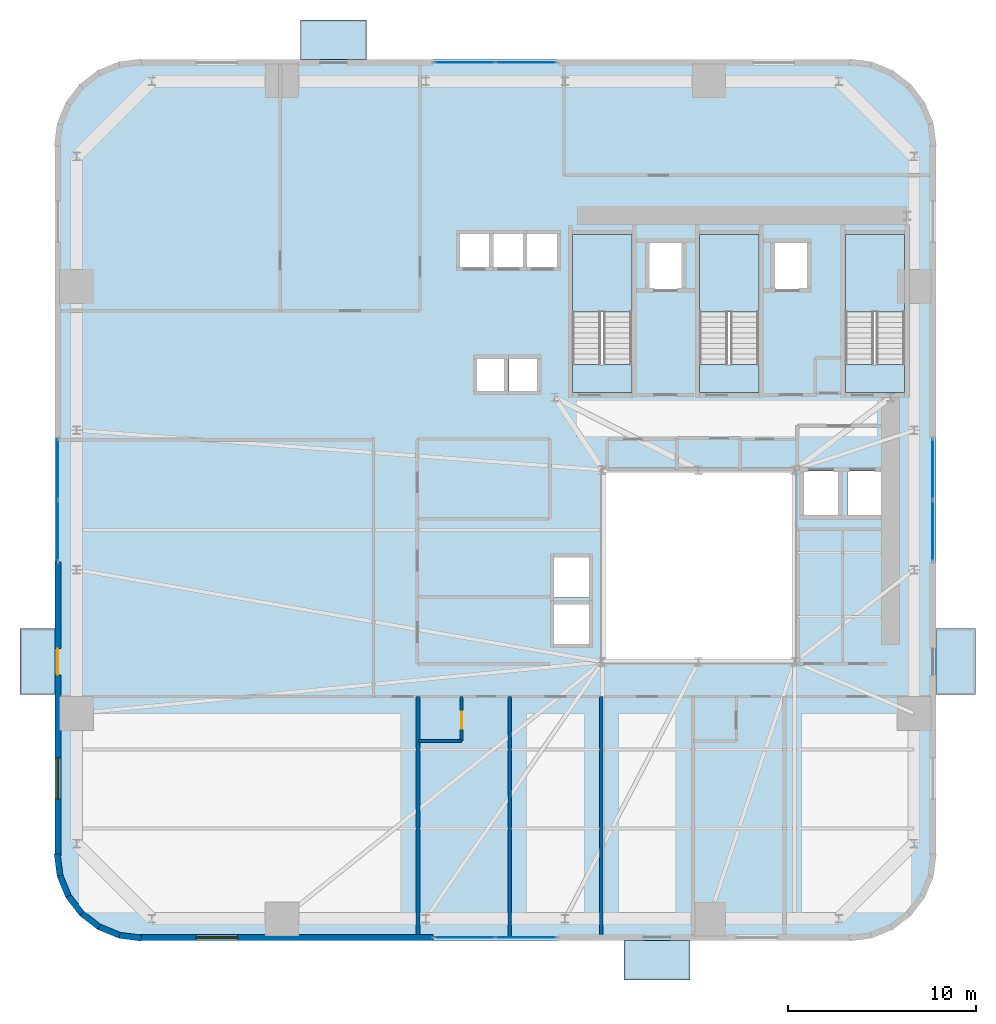
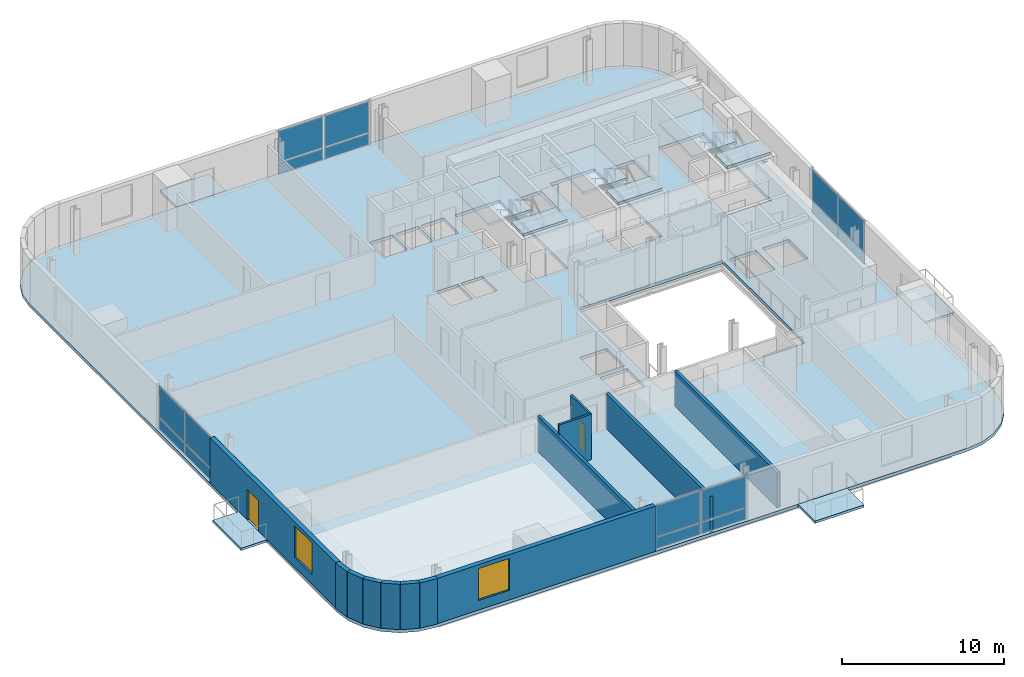
# One storey, part 5 of 13: 16 plates, 13 walls, 11 slabs, 2 doors, 2 windows, 4 openings, 7 elements without a shape of their own.
"""IFC4 building model written with IfcOpenShell, lengths in metres."""

from ifc_helpers import new_model, si_unit, direction, frame, frame_2d, origin, origin_2d, place, context, subcontext, project, spatial, polyline, rectangle, outline, extrude, source, transform, mapped, material, layer, layer_set, type_object, element, fill, aggregate, save


model = new_model("IFC4")

# Units and contexts
model_context = context("Model", 3, precision=1e-05, world=origin(), true_north=direction((0.0, 1.0)))
body_context = subcontext(model_context, "Body", "Model", "MODEL_VIEW")
ifc_project = project(units=[si_unit("LENGTHUNIT", "METRE"), si_unit("AREAUNIT", "SQUARE_METRE"), si_unit("VOLUMEUNIT", "CUBIC_METRE"), si_unit("PLANEANGLEUNIT", "RADIAN"), si_unit("MASSUNIT", "GRAM", prefix="KILO")], contexts=[model_context])

# Site, building, storey
site_placement = place(None, origin())
site = spatial("IfcSite", under=ifc_project, at=site_placement, CompositionType="ELEMENT")
building_placement = place(site_placement, origin())
building = spatial("IfcBuilding", under=site, at=building_placement, Name="Vardaveli Station Tower", CompositionType="ELEMENT")
storey_placement = place(building_placement, frame((0.0, 0.0, 45.85009765625)))
storey = spatial("IfcBuildingStorey", under=building, at=storey_placement, Name="L11", CompositionType="ELEMENT", Elevation=45.85009765625)

# Stair, slabs
ifc_material_1 = material(Name="Concrete C40/50", Category="concrete")
stair_type = type_object("IfcStairType", Name="STR-CORE-1500", PredefinedType="HALF_TURN_STAIR", material=ifc_material_1)
stair_1_placement = place(storey_placement, origin())
stair_1 = element("IfcStair", 1, at=stair_1_placement, inside=storey, type_object=stair_type, Name="L11 ST-1", PredefinedType="HALF_TURN_STAIR")
ifc_layer_1 = layer(ifc_material_1, 0.199951171875, Name="Concrete C40/50")
ifc_layer_set_1 = layer_set([ifc_layer_1], Name="Concrete C40/50")
slab_type_1 = type_object("IfcSlabType", Name="SLB-LAND-200", PredefinedType="LANDING", material=ifc_layer_set_1)
slab_1_placement = place(storey_placement, frame((0.0, 0.0, 1.625)))
slab_1 = element("IfcSlab", 2, at=slab_1_placement, type_object=slab_type_1, Name="ST-1 landing 1", PredefinedType="LANDING", context=body_context, shape_type="SweptSolid", body=[
    extrude(outline(polyline([(32.75, 35.199951171875), (32.75, 39.300048828125), (29.60009765625, 39.300048828125), (29.60009765625, 35.199951171875), (32.75, 35.199951171875)])), origin(), (0.0, 0.0, 1.0), 0.199951171875),
])
slab_2_placement = place(storey_placement, frame((0.0, 0.0, 3.449951171875)))
slab_2 = element("IfcSlab", 3, at=slab_2_placement, type_object=slab_type_1, Name="ST-1 landing 2", PredefinedType="LANDING", context=body_context, shape_type="SweptSolid", body=[
    extrude(outline(polyline([(32.75, 30.89990234375), (32.75, 32.39990234375), (29.60009765625, 32.39990234375), (29.60009765625, 30.89990234375), (32.75, 30.89990234375)])), origin(), (0.0, 0.0, 1.0), 0.199951171875),
])
aggregate(stair_1, [slab_1, slab_2])

stair_2_placement = place(storey_placement, origin())
stair_2 = element("IfcStair", 4, at=stair_2_placement, inside=storey, type_object=stair_type, Name="L11 ST-2", PredefinedType="HALF_TURN_STAIR")
slab_3_placement = place(storey_placement, frame((0.0, 0.0, 1.625)))
slab_3 = element("IfcSlab", 5, at=slab_3_placement, type_object=slab_type_1, Name="ST-2 landing 1", PredefinedType="LANDING", context=body_context, shape_type="SweptSolid", body=[
    extrude(outline(polyline([(39.5, 35.199951171875), (39.5, 39.300048828125), (36.35009765625, 39.300048828125), (36.35009765625, 35.199951171875), (39.5, 35.199951171875)])), origin(), (0.0, 0.0, 1.0), 0.199951171875),
])
slab_4_placement = place(storey_placement, frame((0.0, 0.0, 3.449951171875)))
slab_4 = element("IfcSlab", 6, at=slab_4_placement, type_object=slab_type_1, Name="ST-2 landing 2", PredefinedType="LANDING", context=body_context, shape_type="SweptSolid", body=[
    extrude(outline(polyline([(39.5, 30.89990234375), (39.5, 32.39990234375), (36.35009765625, 32.39990234375), (36.35009765625, 30.89990234375), (39.5, 30.89990234375)])), origin(), (0.0, 0.0, 1.0), 0.199951171875),
])
aggregate(stair_2, [slab_3, slab_4])

stair_3_placement = place(storey_placement, origin())
stair_3 = element("IfcStair", 7, at=stair_3_placement, inside=storey, type_object=stair_type, Name="L11 ST-3", PredefinedType="HALF_TURN_STAIR")
slab_5_placement = place(storey_placement, frame((0.0, 0.0, 1.625)))
slab_5 = element("IfcSlab", 8, at=slab_5_placement, type_object=slab_type_1, Name="ST-3 landing 1", PredefinedType="LANDING", context=body_context, shape_type="SweptSolid", body=[
    extrude(outline(polyline([(47.25, 35.199951171875), (47.25, 39.300048828125), (44.10009765625, 39.300048828125), (44.10009765625, 35.199951171875), (47.25, 35.199951171875)])), origin(), (0.0, 0.0, 1.0), 0.199951171875),
])
slab_6_placement = place(storey_placement, frame((0.0, 0.0, 3.449951171875)))
slab_6 = element("IfcSlab", 9, at=slab_6_placement, type_object=slab_type_1, Name="ST-3 landing 2", PredefinedType="LANDING", context=body_context, shape_type="SweptSolid", body=[
    extrude(outline(polyline([(47.25, 30.89990234375), (47.25, 32.39990234375), (44.10009765625, 32.39990234375), (44.10009765625, 30.89990234375), (47.25, 30.89990234375)])), origin(), (0.0, 0.0, 1.0), 0.199951171875),
])
aggregate(stair_3, [slab_5, slab_6])

# Slabs
ifc_material_2 = material(Name="Precast concrete C45/55", Category="concrete")
ifc_layer_2 = layer(ifc_material_2, 0.179931640625, Name="Precast concrete C45/55")
ifc_layer_set_2 = layer_set([ifc_layer_2], Name="Precast concrete C45/55")
slab_type_2 = type_object("IfcSlabType", Name="SLB-LOGGIA-180", PredefinedType="FLOOR", material=ifc_layer_set_2)
slab_7_placement = place(storey_placement, frame((0.0, 0.0, -0.18017578125)))
element("IfcSlab", 10, at=slab_7_placement, inside=storey, type_object=slab_type_2, Name="LOG-L11-S", PredefinedType="FLOOR", context=body_context, shape_type="SweptSolid", body=[
    extrude(outline(polyline([(32.339599609375, -0.300048828125), (35.839599609375, -0.300048828125), (35.839599609375, 1.800048828125), (32.339599609375, 1.800048828125), (32.339599609375, -0.300048828125)])), origin(), (0.0, 0.0, 1.0), 0.18017578125),
])
slab_8_placement = place(storey_placement, frame((0.0, 0.0, -0.18017578125)))
element("IfcSlab", 11, at=slab_8_placement, inside=storey, type_object=slab_type_2, Name="LOG-L11-N", PredefinedType="FLOOR", context=body_context, shape_type="SweptSolid", body=[
    extrude(outline(polyline([(15.160400390625, 48.60009765625), (18.660400390625, 48.60009765625), (18.660400390625, 50.699951171875), (15.160400390625, 50.699951171875), (15.160400390625, 48.60009765625)])), origin(), (0.0, 0.0, 1.0), 0.18017578125),
])
slab_9_placement = place(storey_placement, frame((0.0, 0.0, -0.18017578125)))
element("IfcSlab", 12, at=slab_9_placement, inside=storey, type_object=slab_type_2, Name="LOG-L11-W", PredefinedType="FLOOR", context=body_context, shape_type="SweptSolid", body=[
    extrude(outline(polyline([(0.25, 14.8603515625), (2.10009765625, 14.8603515625), (2.10009765625, 18.3603515625), (0.25, 18.3603515625), (0.25, 14.8603515625)])), origin(), (0.0, 0.0, 1.0), 0.18017578125),
])
slab_10_placement = place(storey_placement, frame((0.0, 0.0, -0.18017578125)))
element("IfcSlab", 13, at=slab_10_placement, inside=storey, type_object=slab_type_2, Name="LOG-L11-E", PredefinedType="FLOOR", context=body_context, shape_type="SweptSolid", body=[
    extrude(outline(polyline([(48.89990234375, 14.8603515625), (51.0, 14.8603515625), (51.0, 18.3603515625), (48.89990234375, 18.3603515625), (48.89990234375, 14.8603515625)])), origin(), (0.0, 0.0, 1.0), 0.18017578125),
])
ifc_layer_3 = layer(ifc_material_1, 0.239990234375, Name="Concrete C40/50")
ifc_layer_set_3 = layer_set([ifc_layer_3], Name="Concrete C40/50")
slab_type_3 = type_object("IfcSlabType", Name="SLB-TOW-240", PredefinedType="FLOOR", material=ifc_layer_set_3)
slab_11_placement = place(storey_placement, frame((0.0, 0.0, -0.239990234375)))
element("IfcSlab", 14, at=slab_11_placement, inside=storey, type_object=slab_type_3, Name="SLB-L11-MAIN", PredefinedType="FLOOR", context=body_context, shape_type="SweptSolid", body=[
    extrude(outline(polyline([(2.10009765625, 6.300048828125), (2.25341796875, 5.13525390625), (2.702880859375, 4.050048828125), (3.41796875, 3.117919921875), (4.35009765625, 2.40283203125), (5.435302734375, 1.953369140625), (6.60009765625, 1.800048828125), (44.39990234375, 1.800048828125), (45.564697265625, 1.953369140625), (46.64990234375, 2.40283203125), (47.58203125, 3.117919921875), (48.297119140625, 4.050048828125), (48.74658203125, 5.13525390625), (48.89990234375, 6.300048828125), (48.89990234375, 44.10009765625), (48.74658203125, 45.2646484375), (48.297119140625, 46.35009765625), (47.58203125, 47.281982421875), (46.64990234375, 47.9970703125), (45.564697265625, 48.44677734375), (44.39990234375, 48.60009765625), (6.60009765625, 48.60009765625), (5.435302734375, 48.44677734375), (4.35009765625, 47.9970703125), (3.41796875, 47.281982421875), (2.702880859375, 46.35009765625), (2.25341796875, 45.2646484375), (2.10009765625, 44.10009765625), (2.10009765625, 6.300048828125)]), holes=[polyline([(31.199951171875, 16.60009765625), (41.39990234375, 16.60009765625), (41.39990234375, 26.800048828125), (31.199951171875, 26.800048828125), (31.199951171875, 16.60009765625)]), polyline([(32.75, 30.89990234375), (32.75, 39.300048828125), (29.60009765625, 39.300048828125), (29.60009765625, 30.89990234375), (32.75, 30.89990234375)]), polyline([(39.5, 30.89990234375), (39.5, 39.300048828125), (36.35009765625, 39.300048828125), (36.35009765625, 30.89990234375), (39.5, 30.89990234375)]), polyline([(47.25, 30.89990234375), (47.25, 39.300048828125), (44.10009765625, 39.300048828125), (44.10009765625, 30.89990234375), (47.25, 30.89990234375)]), polyline([(23.5849609375, 37.534912109375), (25.215087890625, 37.534912109375), (25.215087890625, 39.364990234375), (23.5849609375, 39.364990234375), (23.5849609375, 37.534912109375)]), polyline([(25.385009765625, 37.534912109375), (27.014892578125, 37.534912109375), (27.014892578125, 39.364990234375), (25.385009765625, 39.364990234375), (25.385009765625, 37.534912109375)]), polyline([(27.18505859375, 37.534912109375), (28.81494140625, 37.534912109375), (28.81494140625, 39.364990234375), (27.18505859375, 39.364990234375), (27.18505859375, 37.534912109375)]), polyline([(33.659912109375, 36.409912109375), (35.43994140625, 36.409912109375), (35.43994140625, 38.889892578125), (33.659912109375, 38.889892578125), (33.659912109375, 36.409912109375)]), polyline([(40.31005859375, 36.409912109375), (42.090087890625, 36.409912109375), (42.090087890625, 38.889892578125), (40.31005859375, 38.889892578125), (40.31005859375, 36.409912109375)]), polyline([(24.485107421875, 30.9599609375), (26.014892578125, 30.9599609375), (26.014892578125, 32.739990234375), (24.485107421875, 32.739990234375), (24.485107421875, 30.9599609375)]), polyline([(26.235107421875, 30.9599609375), (27.764892578125, 30.9599609375), (27.764892578125, 32.739990234375), (26.235107421875, 32.739990234375), (26.235107421875, 30.9599609375)]), polyline([(28.5849609375, 17.510009765625), (30.514892578125, 17.510009765625), (30.514892578125, 19.68994140625), (28.5849609375, 19.68994140625), (28.5849609375, 17.510009765625)]), polyline([(28.5849609375, 20.010009765625), (30.514892578125, 20.010009765625), (30.514892578125, 22.18994140625), (28.5849609375, 22.18994140625), (28.5849609375, 20.010009765625)]), polyline([(41.860107421875, 24.360107421875), (43.739990234375, 24.360107421875), (43.739990234375, 26.739990234375), (41.860107421875, 26.739990234375), (41.860107421875, 24.360107421875)]), polyline([(44.2099609375, 24.360107421875), (46.090087890625, 24.360107421875), (46.090087890625, 26.739990234375), (44.2099609375, 26.739990234375), (44.2099609375, 24.360107421875)])]), origin(), (0.0, 0.0, 1.0), 0.239990234375),
])

# Curtain wall, plates
ifc_material_3 = material(Name="Travertine stone and solar-control glass", Category="masonry")
curtain_wall_type = type_object("IfcCurtainWallType", Name="CW-SYS-2", PredefinedType="NOTDEFINED", material=ifc_material_3)
curtain_wall_1_placement = place(storey_placement, origin())
curtain_wall_1 = element("IfcCurtainWall", 15, at=curtain_wall_1_placement, inside=storey, type_object=curtain_wall_type, Name="CW-L11-S", PredefinedType="NOTDEFINED")
ifc_material_4 = material(Name="Double-glazed low-E solar-control glass", Category="glass")
ifc_layer_4 = layer(ifc_material_4, 0.035888671875, Name="Double-glazed low-E solar-control glass")
ifc_layer_set_4 = layer_set([ifc_layer_4], Name="Double-glazed low-E solar-control glass")
plate_type = type_object("IfcPlateType", Name="CW-SYS-2-PAN", PredefinedType="CURTAIN_PANEL", material=ifc_layer_set_4)
shared_shape_1 = source(origin(), body_context, "Body", "SweptSolid", [
    extrude(rectangle(XDim=3.172607421875, YDim=0.035888671875, at=origin_2d()), origin(), (0.0, 0.0, 1.0), 0.822509765625),
])
plate_1_placement = place(storey_placement, frame((23.871337890625, 1.9599609375, 0.0849609375), z_axis=(0.0, 0.0, 1.0), x_axis=(1.0, 0.0, 0.0)))
plate_1 = element("IfcPlate", 16, at=plate_1_placement, type_object=plate_type, Name="CW-2 panel 1.1", PredefinedType="CURTAIN_PANEL", context=body_context, shape_type="MappedRepresentation", body=[
    mapped(shared_shape_1, transform((0.0, 0.0, 0.0), scale=1.0)),
])
plate_2_placement = place(storey_placement, frame((27.128662109375, 1.9599609375, 0.0849609375), z_axis=(0.0, 0.0, 1.0), x_axis=(1.0, 0.0, 0.0)))
plate_2 = element("IfcPlate", 17, at=plate_2_placement, type_object=plate_type, Name="CW-2 panel 2.1", PredefinedType="CURTAIN_PANEL", context=body_context, shape_type="MappedRepresentation", body=[
    mapped(shared_shape_1, transform((0.0, 0.0, 0.0), scale=1.0)),
])

curtain_wall_2_placement = place(storey_placement, origin())
curtain_wall_2 = element("IfcCurtainWall", 18, at=curtain_wall_2_placement, inside=storey, type_object=curtain_wall_type, Name="CW-L11-N", PredefinedType="NOTDEFINED")
plate_3_placement = place(storey_placement, frame((27.128662109375, 48.43994140625, 0.0849609375), z_axis=(0.0, 0.0, 1.0), x_axis=(-1.0, 0.0, 0.0)))
plate_3 = element("IfcPlate", 19, at=plate_3_placement, type_object=plate_type, Name="CW-2 panel 1.1", PredefinedType="CURTAIN_PANEL", context=body_context, shape_type="MappedRepresentation", body=[
    mapped(shared_shape_1, transform((0.0, 0.0, 0.0), scale=1.0)),
])
plate_4_placement = place(storey_placement, frame((23.871337890625, 48.43994140625, 0.0849609375), z_axis=(0.0, 0.0, 1.0), x_axis=(-1.0, 0.0, 0.0)))
plate_4 = element("IfcPlate", 20, at=plate_4_placement, type_object=plate_type, Name="CW-2 panel 2.1", PredefinedType="CURTAIN_PANEL", context=body_context, shape_type="MappedRepresentation", body=[
    mapped(shared_shape_1, transform((0.0, 0.0, 0.0), scale=1.0)),
])

curtain_wall_3_placement = place(storey_placement, origin())
curtain_wall_3 = element("IfcCurtainWall", 21, at=curtain_wall_3_placement, inside=storey, type_object=curtain_wall_type, Name="CW-L11-W", PredefinedType="NOTDEFINED")
plate_5_placement = place(storey_placement, frame((2.260009765625, 26.828857421875, 0.0849609375), z_axis=(0.0, 0.0, 1.0), x_axis=(0.0, -1.0, 0.0)))
plate_5 = element("IfcPlate", 22, at=plate_5_placement, type_object=plate_type, Name="CW-2 panel 1.1", PredefinedType="CURTAIN_PANEL", context=body_context, shape_type="MappedRepresentation", body=[
    mapped(shared_shape_1, transform((0.0, 0.0, 0.0), scale=1.0)),
])
plate_6_placement = place(storey_placement, frame((2.260009765625, 23.5712890625, 0.0849609375), z_axis=(0.0, 0.0, 1.0), x_axis=(0.0, -1.0, 0.0)))
plate_6 = element("IfcPlate", 23, at=plate_6_placement, type_object=plate_type, Name="CW-2 panel 2.1", PredefinedType="CURTAIN_PANEL", context=body_context, shape_type="MappedRepresentation", body=[
    mapped(shared_shape_1, transform((0.0, 0.0, 0.0), scale=1.0)),
])

curtain_wall_4_placement = place(storey_placement, origin())
curtain_wall_4 = element("IfcCurtainWall", 24, at=curtain_wall_4_placement, inside=storey, type_object=curtain_wall_type, Name="CW-L11-E", PredefinedType="NOTDEFINED")
plate_7_placement = place(storey_placement, frame((48.739990234375, 23.5712890625, 0.0849609375), z_axis=(0.0, 0.0, 1.0), x_axis=(0.0, 1.0, 0.0)))
plate_7 = element("IfcPlate", 25, at=plate_7_placement, type_object=plate_type, Name="CW-2 panel 1.1", PredefinedType="CURTAIN_PANEL", context=body_context, shape_type="MappedRepresentation", body=[
    mapped(shared_shape_1, transform((0.0, 0.0, 0.0), scale=1.0)),
])
plate_8_placement = place(storey_placement, frame((48.739990234375, 26.828857421875, 0.0849609375), z_axis=(0.0, 0.0, 1.0), x_axis=(0.0, 1.0, 0.0)))
plate_8 = element("IfcPlate", 26, at=plate_8_placement, type_object=plate_type, Name="CW-2 panel 2.1", PredefinedType="CURTAIN_PANEL", context=body_context, shape_type="MappedRepresentation", body=[
    mapped(shared_shape_1, transform((0.0, 0.0, 0.0), scale=1.0)),
])

# Plate
shared_shape_2 = source(origin(), body_context, "Body", "SweptSolid", [
    extrude(rectangle(XDim=3.172607421875, YDim=0.035888671875, at=origin_2d()), origin(), (0.0, 0.0, 1.0), 2.33251953125),
])
plate_9_placement = place(storey_placement, frame((23.871337890625, 1.9599609375, 0.992431640625), z_axis=(0.0, 0.0, 1.0), x_axis=(1.0, 0.0, 0.0)))
plate_9 = element("IfcPlate", 27, at=plate_9_placement, type_object=plate_type, Name="CW-2 panel 1.2", PredefinedType="CURTAIN_PANEL", context=body_context, shape_type="MappedRepresentation", body=[
    mapped(shared_shape_2, transform((0.0, 0.0, 0.0), scale=1.0)),
])

plate_10_placement = place(storey_placement, frame((27.128662109375, 1.9599609375, 0.992431640625), z_axis=(0.0, 0.0, 1.0), x_axis=(1.0, 0.0, 0.0)))
plate_10 = element("IfcPlate", 28, at=plate_10_placement, type_object=plate_type, Name="CW-2 panel 2.2", PredefinedType="CURTAIN_PANEL", context=body_context, shape_type="MappedRepresentation", body=[
    mapped(shared_shape_2, transform((0.0, 0.0, 0.0), scale=1.0)),
])

aggregate(curtain_wall_1, [plate_1, plate_9, plate_2, plate_10])

plate_11_placement = place(storey_placement, frame((27.128662109375, 48.43994140625, 0.992431640625), z_axis=(0.0, 0.0, 1.0), x_axis=(-1.0, 0.0, 0.0)))
plate_11 = element("IfcPlate", 29, at=plate_11_placement, type_object=plate_type, Name="CW-2 panel 1.2", PredefinedType="CURTAIN_PANEL", context=body_context, shape_type="MappedRepresentation", body=[
    mapped(shared_shape_2, transform((0.0, 0.0, 0.0), scale=1.0)),
])

plate_12_placement = place(storey_placement, frame((23.871337890625, 48.43994140625, 0.992431640625), z_axis=(0.0, 0.0, 1.0), x_axis=(-1.0, 0.0, 0.0)))
plate_12 = element("IfcPlate", 30, at=plate_12_placement, type_object=plate_type, Name="CW-2 panel 2.2", PredefinedType="CURTAIN_PANEL", context=body_context, shape_type="MappedRepresentation", body=[
    mapped(shared_shape_2, transform((0.0, 0.0, 0.0), scale=1.0)),
])

aggregate(curtain_wall_2, [plate_3, plate_11, plate_4, plate_12])

plate_13_placement = place(storey_placement, frame((2.260009765625, 26.828857421875, 0.992431640625), z_axis=(0.0, 0.0, 1.0), x_axis=(0.0, -1.0, 0.0)))
plate_13 = element("IfcPlate", 31, at=plate_13_placement, type_object=plate_type, Name="CW-2 panel 1.2", PredefinedType="CURTAIN_PANEL", context=body_context, shape_type="MappedRepresentation", body=[
    mapped(shared_shape_2, transform((0.0, 0.0, 0.0), scale=1.0)),
])

plate_14_placement = place(storey_placement, frame((2.260009765625, 23.5712890625, 0.992431640625), z_axis=(0.0, 0.0, 1.0), x_axis=(0.0, -1.0, 0.0)))
plate_14 = element("IfcPlate", 32, at=plate_14_placement, type_object=plate_type, Name="CW-2 panel 2.2", PredefinedType="CURTAIN_PANEL", context=body_context, shape_type="MappedRepresentation", body=[
    mapped(shared_shape_2, transform((0.0, 0.0, 0.0), scale=1.0)),
])

aggregate(curtain_wall_3, [plate_5, plate_13, plate_6, plate_14])

plate_15_placement = place(storey_placement, frame((48.739990234375, 23.5712890625, 0.992431640625), z_axis=(0.0, 0.0, 1.0), x_axis=(0.0, 1.0, 0.0)))
plate_15 = element("IfcPlate", 33, at=plate_15_placement, type_object=plate_type, Name="CW-2 panel 1.2", PredefinedType="CURTAIN_PANEL", context=body_context, shape_type="MappedRepresentation", body=[
    mapped(shared_shape_2, transform((0.0, 0.0, 0.0), scale=1.0)),
])

plate_16_placement = place(storey_placement, frame((48.739990234375, 26.828857421875, 0.992431640625), z_axis=(0.0, 0.0, 1.0), x_axis=(0.0, 1.0, 0.0)))
plate_16 = element("IfcPlate", 34, at=plate_16_placement, type_object=plate_type, Name="CW-2 panel 2.2", PredefinedType="CURTAIN_PANEL", context=body_context, shape_type="MappedRepresentation", body=[
    mapped(shared_shape_2, transform((0.0, 0.0, 0.0), scale=1.0)),
])

aggregate(curtain_wall_4, [plate_7, plate_15, plate_8, plate_16])

# Wall, opening, window
ifc_layer_5 = layer(ifc_material_2, 0.320068359375, Name="Precast concrete C45/55")
ifc_layer_set_5 = layer_set([ifc_layer_5], Name="Precast concrete C45/55")
wall_type_1 = type_object("IfcWallType", Name="WAL-EXT-STONE-320", PredefinedType="SOLIDWALL", material=ifc_layer_set_5)
shared_shape_3 = source(origin(), body_context, "Body", "SweptSolid", [
    extrude(rectangle(XDim=15.599853515625, YDim=0.320068359375, at=frame_2d((7.7998046875, 0.0))), origin(), (0.0, 0.0, 1.0), 3.409912109375),
])
wall_1_placement = place(storey_placement, frame((6.60009765625, 1.9599609375, 0.0), z_axis=(0.0, 0.0, 1.0), x_axis=(1.0, 0.0, 0.0)))
wall_1 = element("IfcWall", 35, at=wall_1_placement, inside=storey, type_object=wall_type_1, Name="EW-L11-S1", PredefinedType="SOLIDWALL", context=body_context, shape_type="MappedRepresentation", body=[
    mapped(shared_shape_3, transform((0.0, 0.0, 0.0), scale=1.0)),
])
shared_shape_4 = source(origin(), body_context, "Body", "SweptSolid", [
    extrude(rectangle(XDim=2.199951171875, YDim=2.39990234375, at=frame_2d((1.10009765625, 1.199951171875))), frame((0.0, 0.169921875, 0.0), z_axis=(0.0, -1.0, 0.0), x_axis=(1.0, 0.0, 0.0)), (0.0, 0.0, 1.0), 0.340087890625),
])
opening_1_placement = place(wall_1_placement, frame((3.0048828125, 0.0, 0.719970703125)))
opening_1 = element("IfcOpeningElement", 36, at=opening_1_placement, cuts=wall_1, Name="Opening W-03", PredefinedType="OPENING", context=body_context, shape_type="MappedRepresentation", body=[
    mapped(shared_shape_4, transform((0.0, 0.0, 0.0), scale=1.0)),
])
ifc_material_5 = material(Name="Low-E solar-control glass", Category="glass")
window_type = type_object("IfcWindowType", Name="WIN-LOG-2200x2400", PartitioningType="SINGLE_PANEL", PredefinedType="WINDOW", material=ifc_material_5)
shared_shape_5 = source(origin(), body_context, "Body", "SweptSolid", [
    extrude(rectangle(XDim=2.199951171875, YDim=2.39990234375, at=frame_2d((1.10009765625, 1.199951171875))), frame((0.0, 0.030029296875, 0.0), z_axis=(0.0, -1.0, 0.0), x_axis=(1.0, 0.0, 0.0)), (0.0, 0.0, 1.0), 0.06005859375),
])
window_1_placement = place(opening_1_placement, origin())
window_1 = element("IfcWindow", 37, at=window_1_placement, inside=storey, type_object=window_type, Name="WN-L11-S1", OverallHeight=2.39990234375, OverallWidth=2.199951171875, PartitioningType="SINGLE_PANEL", PredefinedType="WINDOW", context=body_context, shape_type="MappedRepresentation", body=[
    mapped(shared_shape_5, transform((0.0, 0.0, 0.0), scale=1.0)),
])
fill(opening_1, window_1)

# Wall, openings, door, window
wall_2_placement = place(storey_placement, frame((2.260009765625, 21.89990234375, 0.0), z_axis=(0.0, 0.0, 1.0), x_axis=(0.0, -1.0, 0.0)))
wall_2 = element("IfcWall", 38, at=wall_2_placement, inside=storey, type_object=wall_type_1, Name="EW-L11-W2", PredefinedType="SOLIDWALL", context=body_context, shape_type="MappedRepresentation", body=[
    mapped(shared_shape_3, transform((0.0, 0.0, 0.0), scale=1.0)),
])
shared_shape_6 = source(origin(), body_context, "Body", "SweptSolid", [
    extrude(rectangle(XDim=1.39990234375, YDim=2.300048828125, at=frame_2d((0.699951171875, 1.14990234375))), frame((0.0, 0.169921875, 0.0), z_axis=(0.0, -1.0, 0.0), x_axis=(1.0, 0.0, 0.0)), (0.0, 0.0, 1.0), 0.340087890625),
])
opening_2_placement = place(wall_2_placement, frame((4.589599609375, 0.0, 0.0)))
opening_2 = element("IfcOpeningElement", 39, at=opening_2_placement, cuts=wall_2, Name="Opening D-09", PredefinedType="OPENING", context=body_context, shape_type="MappedRepresentation", body=[
    mapped(shared_shape_6, transform((0.0, 0.0, 0.0), scale=1.0)),
])
opening_3_placement = place(wall_2_placement, frame((10.39501953125, 0.0, 0.719970703125)))
opening_3 = element("IfcOpeningElement", 40, at=opening_3_placement, cuts=wall_2, Name="Opening W-03", PredefinedType="OPENING", context=body_context, shape_type="MappedRepresentation", body=[
    mapped(shared_shape_4, transform((0.0, 0.0, 0.0), scale=1.0)),
])
ifc_material_6 = material(Name="Thermally broken aluminium glass", Category="aluminium")
door_type_1 = type_object("IfcDoorType", Name="DR-LOG-1400x2300", OperationType="DOUBLE_DOOR_SLIDING", PredefinedType="DOOR", material=ifc_material_6)
shared_shape_7 = source(origin(), body_context, "Body", "SweptSolid", [
    extrude(rectangle(XDim=1.39990234375, YDim=2.300048828125, at=frame_2d((0.699951171875, 1.14990234375))), frame((0.0, 0.02490234375, 0.0), z_axis=(0.0, -1.0, 0.0), x_axis=(1.0, 0.0, 0.0)), (0.0, 0.0, 1.0), 0.050048828125),
])
door_1_placement = place(opening_2_placement, frame((1.39990234375, 0.0, 0.0), z_axis=(0.0, 0.0, 1.0), x_axis=(-1.0, 0.0, 0.0)))
door_1 = element("IfcDoor", 41, at=door_1_placement, inside=storey, type_object=door_type_1, Name="DLG-L11-W", OperationType="DOUBLE_DOOR_SLIDING", OverallHeight=2.300048828125, OverallWidth=1.39990234375, PredefinedType="DOOR", context=body_context, shape_type="MappedRepresentation", body=[
    mapped(shared_shape_7, transform((0.0, 0.0, 0.0), scale=1.0)),
])
fill(opening_2, door_1)
window_2_placement = place(opening_3_placement, origin())
window_2 = element("IfcWindow", 42, at=window_2_placement, inside=storey, type_object=window_type, Name="WN-L11-W2", OverallHeight=2.39990234375, OverallWidth=2.199951171875, PartitioningType="SINGLE_PANEL", PredefinedType="WINDOW", context=body_context, shape_type="MappedRepresentation", body=[
    mapped(shared_shape_5, transform((0.0, 0.0, 0.0), scale=1.0)),
])
fill(opening_3, window_2)

# Walls
shared_shape_8 = source(origin(), body_context, "Body", "SweptSolid", [
    extrude(rectangle(XDim=1.170654296875, YDim=0.320068359375, at=frame_2d((0.58544921875, 0.0))), origin(), (0.0, 0.0, 1.0), 3.409912109375),
])
wall_3_placement = place(storey_placement, frame((2.224365234375, 6.400634765625, 0.0), z_axis=(0.0, 0.0, 1.0), x_axis=(0.128269133229, -0.991739395941, 0.0)))
element("IfcWall", 43, at=wall_3_placement, inside=storey, type_object=wall_type_1, Name="EW-L11-CR1-1", PredefinedType="SOLIDWALL", context=body_context, shape_type="MappedRepresentation", body=[
    mapped(shared_shape_8, transform((0.0, 0.0, 0.0), scale=1.0)),
])
shared_shape_9 = source(origin(), body_context, "Body", "SweptSolid", [
    extrude(rectangle(XDim=1.1689453125, YDim=0.320068359375, at=frame_2d((0.58447265625, 0.0))), origin(), (0.0, 0.0, 1.0), 3.409912109375),
])
for number, where, z_axis, x_axis, name in (
    (44, (2.37451171875, 5.23974609375, 0.0), (0.0, 0.0, 1.0), (0.381127904695, -0.924522320046, 0.0), "EW-L11-CR1-2"),
    (45, (2.820068359375, 4.158935546875, 0.0), (0.0, 0.0, 1.0), (0.608387696831, -0.793639975269, 0.0), "EW-L11-CR1-3"),
):
    element("IfcWall", number, at=place(storey_placement, frame(where, z_axis=z_axis, x_axis=x_axis)), inside=storey, type_object=wall_type_1, Name=name, PredefinedType="SOLIDWALL", context=body_context, shape_type="MappedRepresentation", body=[
        mapped(shared_shape_9, transform((0.0, 0.0, 0.0), scale=1.0)),
    ])
shared_shape_10 = source(origin(), body_context, "Body", "SweptSolid", [
    extrude(rectangle(XDim=1.168701171875, YDim=0.320068359375, at=frame_2d((0.58447265625, 0.0))), origin(), (0.0, 0.0, 1.0), 3.409912109375),
])
wall_4_placement = place(storey_placement, frame((3.53125, 3.231201171875, 0.0), z_axis=(0.0, 0.0, 1.0), x_axis=(0.793663520347, -0.608356981114, 0.0)))
element("IfcWall", 46, at=wall_4_placement, inside=storey, type_object=wall_type_1, Name="EW-L11-CR1-4", PredefinedType="SOLIDWALL", context=body_context, shape_type="MappedRepresentation", body=[
    mapped(shared_shape_10, transform((0.0, 0.0, 0.0), scale=1.0)),
])
shared_shape_11 = source(origin(), body_context, "Body", "SweptSolid", [
    extrude(rectangle(XDim=1.16943359375, YDim=0.320068359375, at=frame_2d((0.584716796875, 0.0))), origin(), (0.0, 0.0, 1.0), 3.409912109375),
])
wall_5_placement = place(storey_placement, frame((4.458740234375, 2.520263671875, 0.0), z_axis=(0.0, 0.0, 1.0), x_axis=(0.924479075121, -0.381232789334, 0.0)))
element("IfcWall", 47, at=wall_5_placement, inside=storey, type_object=wall_type_1, Name="EW-L11-CR1-5", PredefinedType="SOLIDWALL", context=body_context, shape_type="MappedRepresentation", body=[
    mapped(shared_shape_11, transform((0.0, 0.0, 0.0), scale=1.0)),
])
shared_shape_12 = source(origin(), body_context, "Body", "SweptSolid", [
    extrude(rectangle(XDim=1.170166015625, YDim=0.320068359375, at=frame_2d((0.5849609375, 0.0))), origin(), (0.0, 0.0, 1.0), 3.409912109375),
])
wall_6_placement = place(storey_placement, frame((5.539794921875, 2.074462890625, 0.0), z_axis=(0.0, 0.0, 1.0), x_axis=(0.991762485493, -0.128090485085, 0.0)))
element("IfcWall", 48, at=wall_6_placement, inside=storey, type_object=wall_type_1, Name="EW-L11-CR1-6", PredefinedType="SOLIDWALL", context=body_context, shape_type="MappedRepresentation", body=[
    mapped(shared_shape_12, transform((0.0, 0.0, 0.0), scale=1.0)),
])

# Wall, opening, door
ifc_material_7 = material(Name="Moisture-resistant stud partition")
ifc_layer_6 = layer(ifc_material_7, 0.14990234375, Name="Moisture-resistant stud partition")
ifc_layer_set_6 = layer_set([ifc_layer_6], Name="Moisture-resistant stud partition")
wall_type_2 = type_object("IfcWallType", Name="WAL-WET-150", PredefinedType="PARTITIONING", material=ifc_layer_set_6)
shared_shape_13 = source(origin(), body_context, "Body", "SweptSolid", [
    extrude(rectangle(XDim=2.360107421875, YDim=0.14990234375, at=frame_2d((1.18017578125, 0.0))), origin(), (0.0, 0.0, 1.0), 3.409912109375),
])
wall_7_placement = place(storey_placement, frame((23.7099609375, 12.39990234375, 0.0), z_axis=(0.0, 0.0, 1.0), x_axis=(0.0, 1.0, 0.0)))
wall_7 = element("IfcWall", 49, at=wall_7_placement, inside=storey, type_object=wall_type_2, Name="W-L11-BS2-E", PredefinedType="PARTITIONING", context=body_context, shape_type="MappedRepresentation", body=[
    mapped(shared_shape_13, transform((0.0, 0.0, 0.0), scale=1.0)),
])
shared_shape_14 = source(origin(), body_context, "Body", "SweptSolid", [
    extrude(rectangle(XDim=0.89990234375, YDim=2.10009765625, at=frame_2d((0.449951171875, 1.050048828125))), frame((0.0, 0.0849609375, 0.0), z_axis=(0.0, -1.0, 0.0), x_axis=(1.0, 0.0, 0.0)), (0.0, 0.0, 1.0), 0.169921875),
])
opening_4_placement = place(wall_7_placement, frame((0.64990234375, 0.0, 0.0)))
opening_4 = element("IfcOpeningElement", 50, at=opening_4_placement, cuts=wall_7, Name="Opening D-08", PredefinedType="OPENING", context=body_context, shape_type="MappedRepresentation", body=[
    mapped(shared_shape_14, transform((0.0, 0.0, 0.0), scale=1.0)),
])
ifc_material_8 = material(Name="Moisture-resistant oak door")
door_type_2 = type_object("IfcDoorType", Name="DR-BATH-900x2100", OperationType="NOTDEFINED", PredefinedType="DOOR", material=ifc_material_8)
shared_shape_15 = source(origin(), body_context, "Body", "SweptSolid", [
    extrude(rectangle(XDim=0.89990234375, YDim=2.10009765625, at=frame_2d((0.449951171875, 1.050048828125))), frame((0.0, 0.02490234375, 0.0), z_axis=(0.0, -1.0, 0.0), x_axis=(1.0, 0.0, 0.0)), (0.0, 0.0, 1.0), 0.050048828125),
])
door_2_placement = place(opening_4_placement, origin())
door_2 = element("IfcDoor", 51, at=door_2_placement, inside=storey, type_object=door_type_2, Name="D-L11-BS2", OperationType="SINGLE_SWING_RIGHT", OverallHeight=2.10009765625, OverallWidth=0.89990234375, PredefinedType="DOOR", context=body_context, shape_type="MappedRepresentation", body=[
    mapped(shared_shape_15, transform((0.0, 0.0, 0.0), scale=1.0)),
])
fill(opening_4, door_2)

# Walls
shared_shape_16 = source(origin(), body_context, "Body", "SweptSolid", [
    extrude(rectangle(XDim=2.2900390625, YDim=0.14990234375, at=frame_2d((1.14501953125, 0.0))), origin(), (0.0, 0.0, 1.0), 3.409912109375),
])
wall_8_placement = place(storey_placement, frame((21.419921875, 12.39990234375, 0.0), z_axis=(0.0, 0.0, 1.0), x_axis=(1.0, 0.0, 0.0)))
element("IfcWall", 52, at=wall_8_placement, inside=storey, type_object=wall_type_2, Name="W-L11-BS2-S", PredefinedType="PARTITIONING", context=body_context, shape_type="MappedRepresentation", body=[
    mapped(shared_shape_16, transform((0.0, 0.0, 0.0), scale=1.0)),
])
ifc_material_9 = material(Name="Acoustic twin-stud gypsum partition")
ifc_layer_7 = layer(ifc_material_9, 0.199951171875, Name="Acoustic twin-stud gypsum partition")
ifc_layer_set_7 = layer_set([ifc_layer_7], Name="Acoustic twin-stud gypsum partition")
wall_type_3 = type_object("IfcWallType", Name="WAL-PARTY-200", PredefinedType="PARTITIONING", material=ifc_layer_set_7)
shared_shape_17 = source(origin(), body_context, "Body", "SweptSolid", [
    extrude(rectangle(XDim=12.637939453125, YDim=0.199951171875, at=frame_2d((6.31884765625, 0.0))), origin(), (0.0, 0.0, 1.0), 2.65185546875),
])
for number, where, z_axis, x_axis, name in (
    (53, (21.39990234375, 2.1220703125, 0.0), (0.0, 0.0, 1.0), (0.0, 1.0, 0.0), "W-L11-PS1"),
    (54, (31.133056640625, 2.1220703125, 0.0), (0.0, 0.0, 1.0), (0.0, 1.0, 0.0), "W-L11-PS3"),
):
    element("IfcWall", number, at=place(storey_placement, frame(where, z_axis=z_axis, x_axis=x_axis)), inside=storey, type_object=wall_type_3, Name=name, PredefinedType="PARTITIONING", context=body_context, shape_type="MappedRepresentation", body=[
        mapped(shared_shape_17, transform((0.0, 0.0, 0.0), scale=1.0)),
    ])
shared_shape_18 = source(origin(), body_context, "Body", "SweptSolid", [
    extrude(rectangle(XDim=12.830078125, YDim=0.199951171875, at=frame_2d((6.4150390625, 0.0))), origin(), (0.0, 0.0, 1.0), 2.65185546875),
])
wall_9_placement = place(storey_placement, frame((26.26708984375, 1.929931640625, 0.0), z_axis=(0.0, 0.0, 1.0), x_axis=(0.0, 1.0, 0.0)))
element("IfcWall", 55, at=wall_9_placement, inside=storey, type_object=wall_type_3, Name="W-L11-PS2", PredefinedType="PARTITIONING", context=body_context, shape_type="MappedRepresentation", body=[
    mapped(shared_shape_18, transform((0.0, 0.0, 0.0), scale=1.0)),
])

save(model, "model.ifc")
